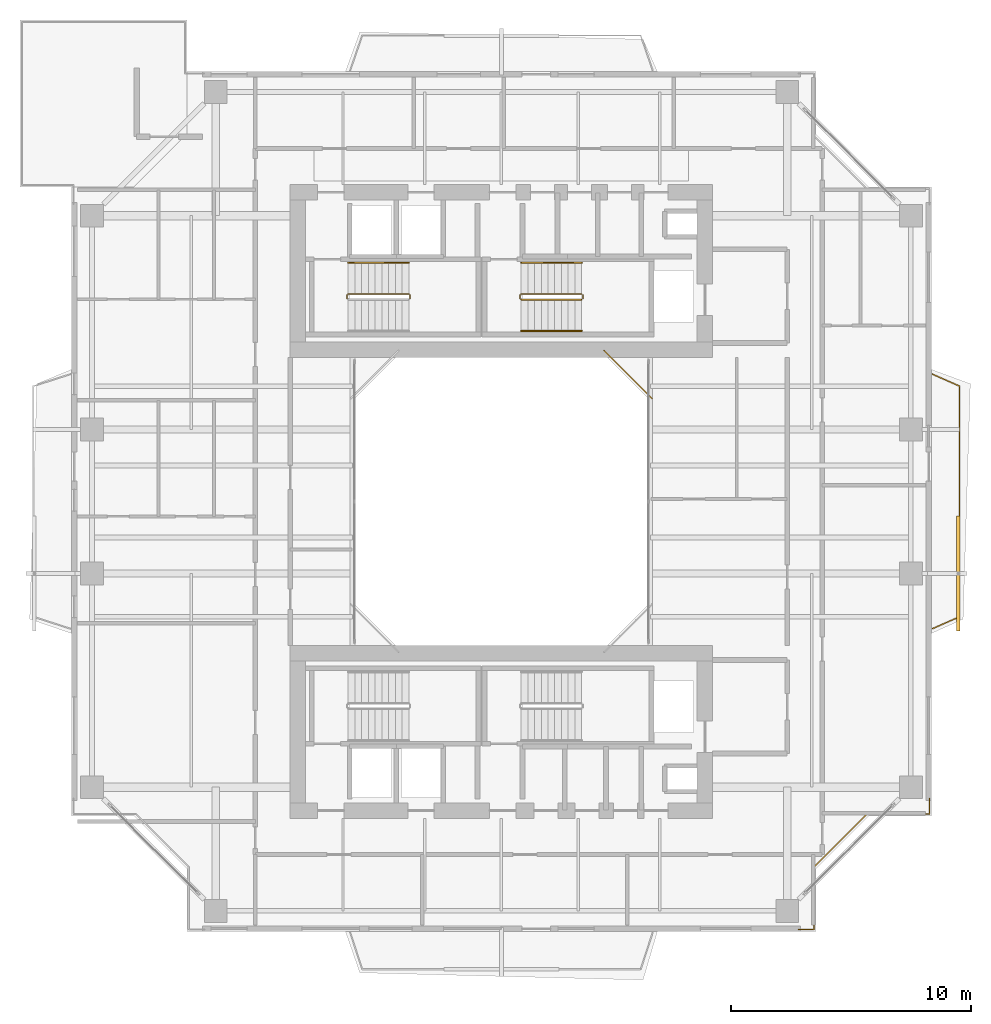
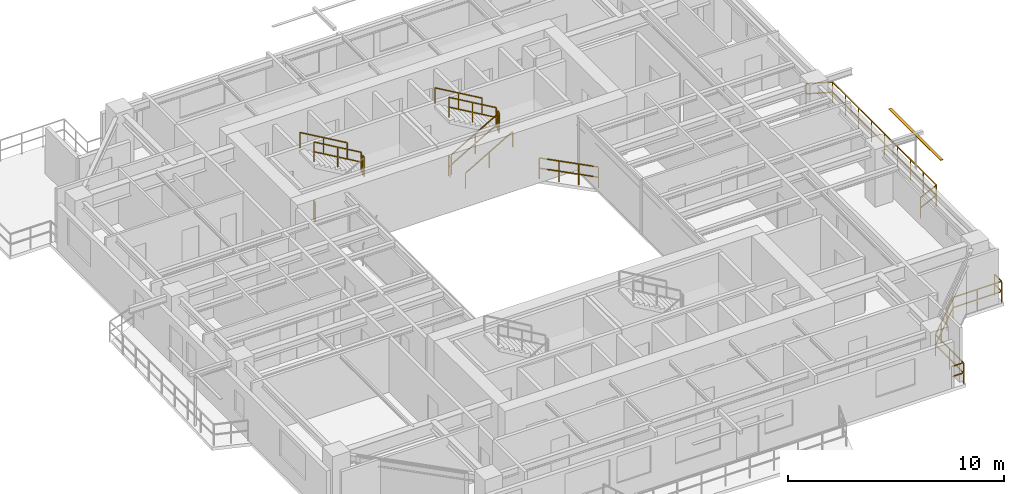
# One storey, part 16 of 17: 13 railings, 1 shading device.
"""IFC4 building model written with IfcOpenShell, lengths in metres."""

from ifc_helpers import new_model, si_unit, direction, frame, origin, origin_2d, place, context, subcontext, project, spatial, rectangle, extrude, source, transform, mapped, material, material_profile, profile_set, type_object, element, save


model = new_model("IFC4")

# Units and contexts
model_context = context("Model", 3, precision=1e-05, world=origin(), true_north=direction((0.0, 1.0)))
body_context = subcontext(model_context, "Body", "Model", "MODEL_VIEW")
ifc_project = project(units=[si_unit("LENGTHUNIT", "METRE"), si_unit("AREAUNIT", "SQUARE_METRE"), si_unit("VOLUMEUNIT", "CUBIC_METRE"), si_unit("PLANEANGLEUNIT", "RADIAN"), si_unit("MASSUNIT", "GRAM", prefix="KILO"), si_unit("THERMODYNAMICTEMPERATUREUNIT", "KELVIN"), si_unit("POWERUNIT", "WATT")], contexts=[model_context])

# Site, building, storey
site_placement = place(None, origin())
site = spatial("IfcSite", under=ifc_project, at=site_placement, CompositionType="ELEMENT")
building_placement = place(site_placement, origin())
building = spatial("IfcBuilding", under=site, at=building_placement, Name="Qiaomeng Ring Towers", CompositionType="ELEMENT")
storey_placement = place(building_placement, frame((0.0, 0.0, 143.75)))
storey = spatial("IfcBuildingStorey", under=building, at=storey_placement, Name="L41", CompositionType="ELEMENT", Elevation=143.75)

# Railings
ifc_material_1 = material(Name="Low-E pale-green laminated safety glass", Category="glass")
railing_type_1 = type_object("IfcRailingType", Name="ARC-RL-BAL1", PredefinedType="BALUSTRADE", material=ifc_material_1)
railing_1_placement = place(storey_placement, frame((25.280029296875, 27.280029296875, 0.0)))
element("IfcRailing", 1, at=railing_1_placement, inside=storey, type_object=railing_type_1, Name="L41 Balustrade ARC-BAL-WELL1-L41-2", PredefinedType="BALUSTRADE", context=body_context, shape_type="SweptSolid", body=[
    extrude(rectangle(XDim=0.048095703125, YDim=0.048095703125, at=origin_2d()), frame((0.0, 0.0, 1.17578125), z_axis=(-0.707106781187, 0.707106781187, 0.0), x_axis=(-0.707106781187, -0.707106781187, 0.0)), (0.0, 0.0, 1.0), 2.828369140625),
    extrude(rectangle(XDim=0.048095703125, YDim=0.048095703125, at=origin_2d()), frame((0.0, 0.0, 0.60009765625), z_axis=(-0.707106781187, 0.707106781187, 0.0), x_axis=(-0.707106781187, -0.707106781187, 0.0)), (0.0, 0.0, 1.0), 2.828369140625),
    extrude(rectangle(XDim=0.0419921875, YDim=0.0419921875, at=origin_2d()), origin(), (0.0, 0.0, 1.0), 1.15185546875),
    extrude(rectangle(XDim=0.0419921875, YDim=0.0419921875, at=origin_2d()), frame((-0.666748046875, 0.666748046875, 0.0)), (0.0, 0.0, 1.0), 1.15185546875),
    extrude(rectangle(XDim=0.0419921875, YDim=0.0419921875, at=origin_2d()), frame((-1.333251953125, 1.333251953125, 0.0)), (0.0, 0.0, 1.0), 1.15185546875),
    extrude(rectangle(XDim=0.0419921875, YDim=0.0419921875, at=origin_2d()), frame((-2.0, 2.0, 0.0)), (0.0, 0.0, 1.0), 1.15185546875),
])
railing_2_placement = place(storey_placement, frame((31.3701171875, 5.179931640625, 0.0)))
element("IfcRailing", 2, at=railing_2_placement, inside=storey, type_object=railing_type_1, Name="L41 Balustrade ARC-BAL-NOTCH1-L41-SE", PredefinedType="BALUSTRADE", context=body_context, shape_type="SweptSolid", body=[
    extrude(rectangle(XDim=0.048095703125, YDim=0.048095703125, at=origin_2d()), frame((0.0, 0.0, 1.17578125), z_axis=(1.0, 0.0, 0.0), x_axis=(0.0, 1.0, 0.0)), (0.0, 0.0, 1.0), 0.64990234375),
    extrude(rectangle(XDim=0.048095703125, YDim=0.048095703125, at=origin_2d()), frame((0.0, 0.0, 0.60009765625), z_axis=(1.0, 0.0, 0.0), x_axis=(0.0, 1.0, 0.0)), (0.0, 0.0, 1.0), 0.64990234375),
    extrude(rectangle(XDim=0.048095703125, YDim=0.048095703125, at=origin_2d()), frame((0.64990234375, 0.0, 1.17578125), z_axis=(0.0, 1.0, 0.0), x_axis=(-1.0, 0.0, 0.0)), (0.0, 0.0, 1.0), 2.60009765625),
    extrude(rectangle(XDim=0.048095703125, YDim=0.048095703125, at=origin_2d()), frame((0.64990234375, 0.0, 0.60009765625), z_axis=(0.0, 1.0, 0.0), x_axis=(-1.0, 0.0, 0.0)), (0.0, 0.0, 1.0), 2.60009765625),
    extrude(rectangle(XDim=0.048095703125, YDim=0.048095703125, at=origin_2d()), frame((0.64990234375, 2.60009765625, 1.17578125), z_axis=(0.707106781187, 0.707106781187, 0.0), x_axis=(-0.707106781187, 0.707106781187, 0.0)), (0.0, 0.0, 1.0), 3.111083984375),
    extrude(rectangle(XDim=0.048095703125, YDim=0.048095703125, at=origin_2d()), frame((0.64990234375, 2.60009765625, 0.60009765625), z_axis=(0.707106781187, 0.707106781187, 0.0), x_axis=(-0.707106781187, 0.707106781187, 0.0)), (0.0, 0.0, 1.0), 3.111083984375),
    extrude(rectangle(XDim=0.048095703125, YDim=0.048095703125, at=origin_2d()), frame((2.849853515625, 4.800048828125, 1.17578125), z_axis=(1.0, 0.0, 0.0), x_axis=(0.0, 1.0, 0.0)), (0.0, 0.0, 1.0), 2.60009765625),
    extrude(rectangle(XDim=0.048095703125, YDim=0.048095703125, at=origin_2d()), frame((2.849853515625, 4.800048828125, 0.60009765625), z_axis=(1.0, 0.0, 0.0), x_axis=(0.0, 1.0, 0.0)), (0.0, 0.0, 1.0), 2.60009765625),
    extrude(rectangle(XDim=0.048095703125, YDim=0.048095703125, at=origin_2d()), frame((5.449951171875, 4.800048828125, 1.17578125), z_axis=(0.0, 1.0, 0.0), x_axis=(-1.0, 0.0, 0.0)), (0.0, 0.0, 1.0), 0.64990234375),
    extrude(rectangle(XDim=0.048095703125, YDim=0.048095703125, at=origin_2d()), frame((5.449951171875, 4.800048828125, 0.60009765625), z_axis=(0.0, 1.0, 0.0), x_axis=(-1.0, 0.0, 0.0)), (0.0, 0.0, 1.0), 0.64990234375),
    extrude(rectangle(XDim=0.0419921875, YDim=0.0419921875, at=origin_2d()), origin(), (0.0, 0.0, 1.0), 1.15185546875),
    extrude(rectangle(XDim=0.0419921875, YDim=0.0419921875, at=origin_2d()), frame((0.64990234375, 0.0, 0.0)), (0.0, 0.0, 1.0), 1.15185546875),
    extrude(rectangle(XDim=0.0419921875, YDim=0.0419921875, at=origin_2d()), frame((0.64990234375, 1.300048828125, 0.0)), (0.0, 0.0, 1.0), 1.15185546875),
    extrude(rectangle(XDim=0.0419921875, YDim=0.0419921875, at=origin_2d()), frame((0.64990234375, 2.60009765625, 0.0)), (0.0, 0.0, 1.0), 1.15185546875),
    extrude(rectangle(XDim=0.0419921875, YDim=0.0419921875, at=origin_2d()), frame((1.38330078125, 3.33349609375, 0.0)), (0.0, 0.0, 1.0), 1.15185546875),
    extrude(rectangle(XDim=0.0419921875, YDim=0.0419921875, at=origin_2d()), frame((2.116455078125, 4.066650390625, 0.0)), (0.0, 0.0, 1.0), 1.15185546875),
    extrude(rectangle(XDim=0.0419921875, YDim=0.0419921875, at=origin_2d()), frame((2.849853515625, 4.800048828125, 0.0)), (0.0, 0.0, 1.0), 1.15185546875),
    extrude(rectangle(XDim=0.0419921875, YDim=0.0419921875, at=origin_2d()), frame((4.14990234375, 4.800048828125, 0.0)), (0.0, 0.0, 1.0), 1.15185546875),
    extrude(rectangle(XDim=0.0419921875, YDim=0.0419921875, at=origin_2d()), frame((5.449951171875, 4.800048828125, 0.0)), (0.0, 0.0, 1.0), 1.15185546875),
    extrude(rectangle(XDim=0.0419921875, YDim=0.0419921875, at=origin_2d()), frame((5.449951171875, 5.449951171875, 0.0)), (0.0, 0.0, 1.0), 1.15185546875),
])
railing_3_placement = place(storey_placement, frame((36.949951171875, 17.699951171875, 0.0)))
element("IfcRailing", 3, at=railing_3_placement, inside=storey, type_object=railing_type_1, Name="L41 Balustrade ARC-BAL-L41-T1-E", PredefinedType="BALUSTRADE", context=body_context, shape_type="SweptSolid", body=[
    extrude(rectangle(XDim=0.048095703125, YDim=0.048095703125, at=origin_2d()), frame((0.0, 0.0, 1.17578125), z_axis=(0.914494575002, 0.404598161504, 0.0), x_axis=(-0.404598161504, 0.914494575002, 0.0)), (0.0, 0.0, 1.0), 1.23583984375),
    extrude(rectangle(XDim=0.048095703125, YDim=0.048095703125, at=origin_2d()), frame((0.0, 0.0, 0.60009765625), z_axis=(0.914494575002, 0.404598161504, 0.0), x_axis=(-0.404598161504, 0.914494575002, 0.0)), (0.0, 0.0, 1.0), 1.23583984375),
    extrude(rectangle(XDim=0.048095703125, YDim=0.048095703125, at=origin_2d()), frame((1.130126953125, 0.5, 1.17578125), z_axis=(0.0, 1.0, 0.0), x_axis=(-1.0, 0.0, 0.0)), (0.0, 0.0, 1.0), 9.60009765625),
    extrude(rectangle(XDim=0.048095703125, YDim=0.048095703125, at=origin_2d()), frame((1.130126953125, 0.5, 0.60009765625), z_axis=(0.0, 1.0, 0.0), x_axis=(-1.0, 0.0, 0.0)), (0.0, 0.0, 1.0), 9.60009765625),
    extrude(rectangle(XDim=0.048095703125, YDim=0.048095703125, at=origin_2d()), frame((1.130126953125, 10.10009765625, 1.17578125), z_axis=(-0.914494575002, 0.404598161504, 0.0), x_axis=(-0.404598161504, -0.914494575002, 0.0)), (0.0, 0.0, 1.0), 1.23583984375),
    extrude(rectangle(XDim=0.048095703125, YDim=0.048095703125, at=origin_2d()), frame((1.130126953125, 10.10009765625, 0.60009765625), z_axis=(-0.914494575002, 0.404598161504, 0.0), x_axis=(-0.404598161504, -0.914494575002, 0.0)), (0.0, 0.0, 1.0), 1.23583984375),
    extrude(rectangle(XDim=0.0419921875, YDim=0.0419921875, at=origin_2d()), origin(), (0.0, 0.0, 1.0), 1.15185546875),
    extrude(rectangle(XDim=0.0419921875, YDim=0.0419921875, at=origin_2d()), frame((1.130126953125, 0.5, 0.0)), (0.0, 0.0, 1.0), 1.15185546875),
    extrude(rectangle(XDim=0.0419921875, YDim=0.0419921875, at=origin_2d()), frame((1.130126953125, 1.699951171875, 0.0)), (0.0, 0.0, 1.0), 1.15185546875),
    extrude(rectangle(XDim=0.0419921875, YDim=0.0419921875, at=origin_2d()), frame((1.130126953125, 2.89990234375, 0.0)), (0.0, 0.0, 1.0), 1.15185546875),
    extrude(rectangle(XDim=0.0419921875, YDim=0.0419921875, at=origin_2d()), frame((1.130126953125, 4.10009765625, 0.0)), (0.0, 0.0, 1.0), 1.15185546875),
    extrude(rectangle(XDim=0.0419921875, YDim=0.0419921875, at=origin_2d()), frame((1.130126953125, 5.300048828125, 0.0)), (0.0, 0.0, 1.0), 1.15185546875),
    extrude(rectangle(XDim=0.0419921875, YDim=0.0419921875, at=origin_2d()), frame((1.130126953125, 6.5, 0.0)), (0.0, 0.0, 1.0), 1.15185546875),
    extrude(rectangle(XDim=0.0419921875, YDim=0.0419921875, at=origin_2d()), frame((1.130126953125, 7.7001953125, 0.0)), (0.0, 0.0, 1.0), 1.15185546875),
    extrude(rectangle(XDim=0.0419921875, YDim=0.0419921875, at=origin_2d()), frame((1.130126953125, 8.900146484375, 0.0)), (0.0, 0.0, 1.0), 1.15185546875),
    extrude(rectangle(XDim=0.0419921875, YDim=0.0419921875, at=origin_2d()), frame((1.130126953125, 10.10009765625, 0.0)), (0.0, 0.0, 1.0), 1.15185546875),
    extrude(rectangle(XDim=0.0419921875, YDim=0.0419921875, at=origin_2d()), frame((0.0, 10.60009765625, 0.0)), (0.0, 0.0, 1.0), 1.15185546875),
])
ifc_material_2 = material(Name="Galvanised steel", Category="steel")
railing_type_2 = type_object("IfcRailingType", Name="ARC-RL-GUARD", PredefinedType="GUARDRAIL", material=ifc_material_2)
railing_4_placement = place(storey_placement, frame((15.18994140625, 31.449951171875, 1.625)))
element("IfcRailing", 4, at=railing_4_placement, inside=storey, type_object=railing_type_2, Name="L41 ST1 stair guard 2", PredefinedType="GUARDRAIL", context=body_context, shape_type="SweptSolid", body=[
    extrude(rectangle(XDim=0.048095703125, YDim=0.048095703125, at=origin_2d()), frame((0.0, 0.0, 1.1259765625), z_axis=(0.0, 1.0, 0.0), x_axis=(-1.0, 0.0, 0.0)), (0.0, 0.0, 1.0), 0.14013671875),
    extrude(rectangle(XDim=0.048095703125, YDim=0.048095703125, at=origin_2d()), frame((0.0, 0.0, 0.574951171875), z_axis=(0.0, 1.0, 0.0), x_axis=(-1.0, 0.0, 0.0)), (0.0, 0.0, 1.0), 0.14013671875),
    extrude(rectangle(XDim=0.0419921875, YDim=0.0419921875, at=origin_2d()), origin(), (0.0, 0.0, 1.0), 1.101806640625),
    extrude(rectangle(XDim=0.0419921875, YDim=0.0419921875, at=origin_2d()), frame((0.0, 0.14013671875, 0.0)), (0.0, 0.0, 1.0), 1.101806640625),
])
railing_5_placement = place(storey_placement, frame((15.139892578125, 31.639892578125, 1.78759765625)))
element("IfcRailing", 5, at=railing_5_placement, inside=storey, type_object=railing_type_2, Name="L41 ST1 stair guard 3", PredefinedType="GUARDRAIL", context=body_context, shape_type="SweptSolid", body=[
    extrude(rectangle(XDim=0.048095703125, YDim=0.048095703125, at=origin_2d()), frame((0.0, 0.0, 1.1259765625), z_axis=(-0.864892226395, 0.0, 0.501957604506), x_axis=(0.0, -1.0, 0.0)), (0.0, 0.0, 1.0), 2.913330078125),
    extrude(rectangle(XDim=0.048095703125, YDim=0.048095703125, at=origin_2d()), frame((0.0, 0.0, 0.574951171875), z_axis=(-0.864892226395, 0.0, 0.501957604506), x_axis=(0.0, -1.0, 0.0)), (0.0, 0.0, 1.0), 2.913330078125),
    extrude(rectangle(XDim=0.0419921875, YDim=0.0419921875, at=origin_2d()), origin(), (0.0, 0.0, 1.0), 1.101806640625),
    extrude(rectangle(XDim=0.0419921875, YDim=0.0419921875, at=origin_2d()), frame((-1.259765625, 0.0, 0.731201171875)), (0.0, 0.0, 1.0), 1.101806640625),
    extrude(rectangle(XDim=0.0419921875, YDim=0.0419921875, at=origin_2d()), frame((-2.519775390625, 0.0, 1.46240234375)), (0.0, 0.0, 1.0), 1.101806640625),
])
railing_6_placement = place(storey_placement, frame((12.570068359375, 31.449951171875, 0.0)))
element("IfcRailing", 6, at=railing_6_placement, inside=storey, type_object=railing_type_2, Name="L41 ST1 stair guard 4", PredefinedType="GUARDRAIL", context=body_context, shape_type="SweptSolid", body=[
    extrude(rectangle(XDim=0.048095703125, YDim=0.048095703125, at=origin_2d()), frame((0.0, 0.0, 1.1259765625), z_axis=(0.0, 1.0, 0.0), x_axis=(-1.0, 0.0, 0.0)), (0.0, 0.0, 1.0), 0.14013671875),
    extrude(rectangle(XDim=0.048095703125, YDim=0.048095703125, at=origin_2d()), frame((0.0, 0.0, 0.574951171875), z_axis=(0.0, 1.0, 0.0), x_axis=(-1.0, 0.0, 0.0)), (0.0, 0.0, 1.0), 0.14013671875),
    extrude(rectangle(XDim=0.0419921875, YDim=0.0419921875, at=origin_2d()), origin(), (0.0, 0.0, 1.0), 1.101806640625),
    extrude(rectangle(XDim=0.0419921875, YDim=0.0419921875, at=origin_2d()), frame((0.0, 0.14013671875, 0.0)), (0.0, 0.0, 1.0), 1.101806640625),
])
railing_7_placement = place(storey_placement, frame((19.820068359375, 31.39990234375, 0.16259765625)))
element("IfcRailing", 7, at=railing_7_placement, inside=storey, type_object=railing_type_2, Name="L41 ST2 stair guard 1", PredefinedType="GUARDRAIL", context=body_context, shape_type="SweptSolid", body=[
    extrude(rectangle(XDim=0.048095703125, YDim=0.048095703125, at=origin_2d()), frame((0.0, 0.0, 1.1259765625), z_axis=(0.864913338283, 0.0, 0.50192122615), x_axis=(0.0, 1.0, 0.0)), (0.0, 0.0, 1.0), 2.91357421875),
    extrude(rectangle(XDim=0.048095703125, YDim=0.048095703125, at=origin_2d()), frame((0.0, 0.0, 0.574951171875), z_axis=(0.864913338283, 0.0, 0.50192122615), x_axis=(0.0, 1.0, 0.0)), (0.0, 0.0, 1.0), 2.91357421875),
    extrude(rectangle(XDim=0.0419921875, YDim=0.0419921875, at=origin_2d()), origin(), (0.0, 0.0, 1.0), 1.101806640625),
    extrude(rectangle(XDim=0.0419921875, YDim=0.0419921875, at=origin_2d()), frame((1.260009765625, 0.0, 0.731201171875)), (0.0, 0.0, 1.0), 1.101806640625),
    extrude(rectangle(XDim=0.0419921875, YDim=0.0419921875, at=origin_2d()), frame((2.52001953125, 0.0, 1.46240234375)), (0.0, 0.0, 1.0), 1.101806640625),
])
railing_8_placement = place(storey_placement, frame((22.389892578125, 31.449951171875, 1.625)))
element("IfcRailing", 8, at=railing_8_placement, inside=storey, type_object=railing_type_2, Name="L41 ST2 stair guard 2", PredefinedType="GUARDRAIL", context=body_context, shape_type="SweptSolid", body=[
    extrude(rectangle(XDim=0.048095703125, YDim=0.048095703125, at=origin_2d()), frame((0.0, 0.0, 1.1259765625), z_axis=(0.0, 1.0, 0.0), x_axis=(-1.0, 0.0, 0.0)), (0.0, 0.0, 1.0), 0.14013671875),
    extrude(rectangle(XDim=0.048095703125, YDim=0.048095703125, at=origin_2d()), frame((0.0, 0.0, 0.574951171875), z_axis=(0.0, 1.0, 0.0), x_axis=(-1.0, 0.0, 0.0)), (0.0, 0.0, 1.0), 0.14013671875),
    extrude(rectangle(XDim=0.0419921875, YDim=0.0419921875, at=origin_2d()), origin(), (0.0, 0.0, 1.0), 1.101806640625),
    extrude(rectangle(XDim=0.0419921875, YDim=0.0419921875, at=origin_2d()), frame((0.0, 0.14013671875, 0.0)), (0.0, 0.0, 1.0), 1.101806640625),
])
railing_9_placement = place(storey_placement, frame((22.340087890625, 31.639892578125, 1.78759765625)))
element("IfcRailing", 9, at=railing_9_placement, inside=storey, type_object=railing_type_2, Name="L41 ST2 stair guard 3", PredefinedType="GUARDRAIL", context=body_context, shape_type="SweptSolid", body=[
    extrude(rectangle(XDim=0.048095703125, YDim=0.048095703125, at=origin_2d()), frame((0.0, 0.0, 1.1259765625), z_axis=(-0.864913338283, 0.0, 0.50192122615), x_axis=(0.0, -1.0, 0.0)), (0.0, 0.0, 1.0), 2.91357421875),
    extrude(rectangle(XDim=0.048095703125, YDim=0.048095703125, at=origin_2d()), frame((0.0, 0.0, 0.574951171875), z_axis=(-0.864913338283, 0.0, 0.50192122615), x_axis=(0.0, -1.0, 0.0)), (0.0, 0.0, 1.0), 2.91357421875),
    extrude(rectangle(XDim=0.0419921875, YDim=0.0419921875, at=origin_2d()), origin(), (0.0, 0.0, 1.0), 1.101806640625),
    extrude(rectangle(XDim=0.0419921875, YDim=0.0419921875, at=origin_2d()), frame((-1.260009765625, 0.0, 0.731201171875)), (0.0, 0.0, 1.0), 1.101806640625),
    extrude(rectangle(XDim=0.0419921875, YDim=0.0419921875, at=origin_2d()), frame((-2.52001953125, 0.0, 1.46240234375)), (0.0, 0.0, 1.0), 1.101806640625),
])
railing_10_placement = place(storey_placement, frame((19.77001953125, 31.449951171875, 0.0)))
element("IfcRailing", 10, at=railing_10_placement, inside=storey, type_object=railing_type_2, Name="L41 ST2 stair guard 4", PredefinedType="GUARDRAIL", context=body_context, shape_type="SweptSolid", body=[
    extrude(rectangle(XDim=0.048095703125, YDim=0.048095703125, at=origin_2d()), frame((0.0, 0.0, 1.1259765625), z_axis=(0.0, 1.0, 0.0), x_axis=(-1.0, 0.0, 0.0)), (0.0, 0.0, 1.0), 0.14013671875),
    extrude(rectangle(XDim=0.048095703125, YDim=0.048095703125, at=origin_2d()), frame((0.0, 0.0, 0.574951171875), z_axis=(0.0, 1.0, 0.0), x_axis=(-1.0, 0.0, 0.0)), (0.0, 0.0, 1.0), 0.14013671875),
    extrude(rectangle(XDim=0.0419921875, YDim=0.0419921875, at=origin_2d()), origin(), (0.0, 0.0, 1.0), 1.101806640625),
    extrude(rectangle(XDim=0.0419921875, YDim=0.0419921875, at=origin_2d()), frame((0.0, 0.14013671875, 0.0)), (0.0, 0.0, 1.0), 1.101806640625),
])
ifc_material_3 = material(Name="Stainless steel 316", Category="steel")
railing_type_3 = type_object("IfcRailingType", Name="ARC-RL-HAND", PredefinedType="HANDRAIL", material=ifc_material_3)
railing_11_placement = place(storey_placement, frame((15.139892578125, 32.93994140625, 1.78759765625)))
element("IfcRailing", 11, at=railing_11_placement, inside=storey, type_object=railing_type_3, Name="L41 ST1 stair handrail 2", PredefinedType="HANDRAIL", context=body_context, shape_type="SweptSolid", body=[
    extrude(rectangle(XDim=0.048095703125, YDim=0.048095703125, at=origin_2d()), frame((0.0, 0.0, 0.8759765625), z_axis=(-0.864892226395, 0.0, 0.501957604506), x_axis=(0.0, -1.0, 0.0)), (0.0, 0.0, 1.0), 2.913330078125),
    extrude(rectangle(XDim=0.0419921875, YDim=0.0419921875, at=origin_2d()), origin(), (0.0, 0.0, 1.0), 0.851806640625),
    extrude(rectangle(XDim=0.0419921875, YDim=0.0419921875, at=origin_2d()), frame((-1.259765625, 0.0, 0.731201171875)), (0.0, 0.0, 1.0), 0.851806640625),
    extrude(rectangle(XDim=0.0419921875, YDim=0.0419921875, at=origin_2d()), frame((-2.519775390625, 0.0, 1.46240234375)), (0.0, 0.0, 1.0), 0.851806640625),
])
railing_12_placement = place(storey_placement, frame((19.820068359375, 30.10009765625, 0.16259765625)))
element("IfcRailing", 12, at=railing_12_placement, inside=storey, type_object=railing_type_3, Name="L41 ST2 stair handrail 1", PredefinedType="HANDRAIL", context=body_context, shape_type="SweptSolid", body=[
    extrude(rectangle(XDim=0.048095703125, YDim=0.048095703125, at=origin_2d()), frame((0.0, 0.0, 0.8759765625), z_axis=(0.864913338283, 0.0, 0.50192122615), x_axis=(0.0, 1.0, 0.0)), (0.0, 0.0, 1.0), 2.91357421875),
    extrude(rectangle(XDim=0.0419921875, YDim=0.0419921875, at=origin_2d()), origin(), (0.0, 0.0, 1.0), 0.851806640625),
    extrude(rectangle(XDim=0.0419921875, YDim=0.0419921875, at=origin_2d()), frame((1.260009765625, 0.0, 0.731201171875)), (0.0, 0.0, 1.0), 0.851806640625),
    extrude(rectangle(XDim=0.0419921875, YDim=0.0419921875, at=origin_2d()), frame((2.52001953125, 0.0, 1.46240234375)), (0.0, 0.0, 1.0), 0.851806640625),
])
railing_13_placement = place(storey_placement, frame((22.340087890625, 32.93994140625, 1.78759765625)))
element("IfcRailing", 13, at=railing_13_placement, inside=storey, type_object=railing_type_3, Name="L41 ST2 stair handrail 2", PredefinedType="HANDRAIL", context=body_context, shape_type="SweptSolid", body=[
    extrude(rectangle(XDim=0.048095703125, YDim=0.048095703125, at=origin_2d()), frame((0.0, 0.0, 0.8759765625), z_axis=(-0.864913338283, 0.0, 0.50192122615), x_axis=(0.0, -1.0, 0.0)), (0.0, 0.0, 1.0), 2.91357421875),
    extrude(rectangle(XDim=0.0419921875, YDim=0.0419921875, at=origin_2d()), origin(), (0.0, 0.0, 1.0), 0.851806640625),
    extrude(rectangle(XDim=0.0419921875, YDim=0.0419921875, at=origin_2d()), frame((-1.260009765625, 0.0, 0.731201171875)), (0.0, 0.0, 1.0), 0.851806640625),
    extrude(rectangle(XDim=0.0419921875, YDim=0.0419921875, at=origin_2d()), frame((-2.52001953125, 0.0, 1.46240234375)), (0.0, 0.0, 1.0), 0.851806640625),
])

# Shading device
ifc_material_4 = material(Name="Fluorocarbon dark-grey aluminium", Category="aluminium")
ifc_material_profile = material_profile(ifc_material_4, rectangle(XDim=0.14990234375, YDim=0.034912109375, at=origin_2d()), Name="LV BLADE 150x35")
ifc_profile_set = profile_set([ifc_material_profile], Name="Fluorocarbon dark-grey aluminium")
shading_device_type = type_object("IfcShadingDeviceType", Name="ARC-SHD-SUN", PredefinedType="AWNING", material=ifc_profile_set)
shared_shape = source(origin(), body_context, "Body", "SweptSolid", [
    extrude(rectangle(XDim=0.14990234375, YDim=0.034912109375, at=origin_2d()), origin(), (0.0, 0.0, 1.0), 4.7998046875),
])
shading_device_placement = place(storey_placement, frame((38.030029296875, 17.60009765625, 2.969970703125), z_axis=(0.0, 1.0, 0.0), x_axis=(-1.0, 0.0, 0.0)))
element("IfcShadingDevice", 14, at=shading_device_placement, inside=storey, type_object=shading_device_type, Name="L41 Ventilated Outer-Skin Sunshade E", PredefinedType="AWNING", context=body_context, shape_type="MappedRepresentation", body=[
    mapped(shared_shape, transform((0.0, 0.0, 0.0), x_axis=(1.0, 0.0, 0.0), y_axis=(0.0, 1.0, 0.0), z_axis=(0.0, 0.0, 1.0), scale=1.0)),
])

save(model, "model.ifc")
